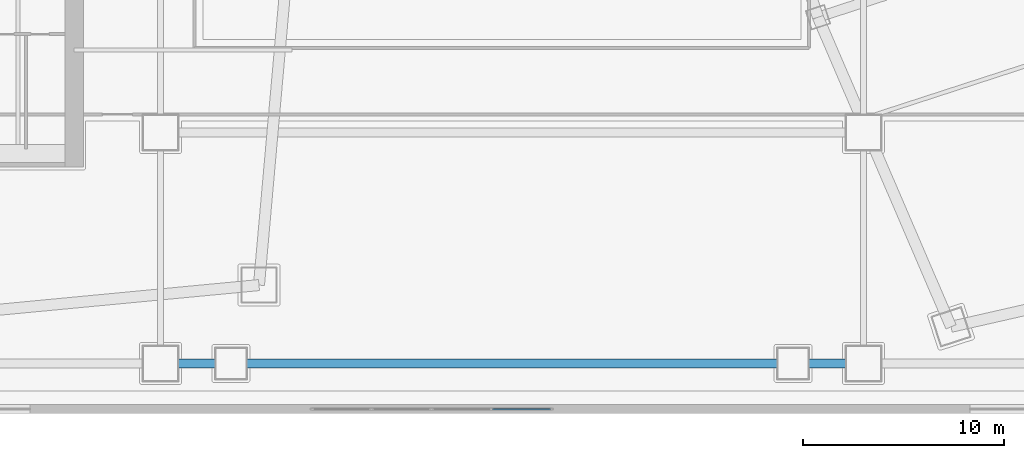
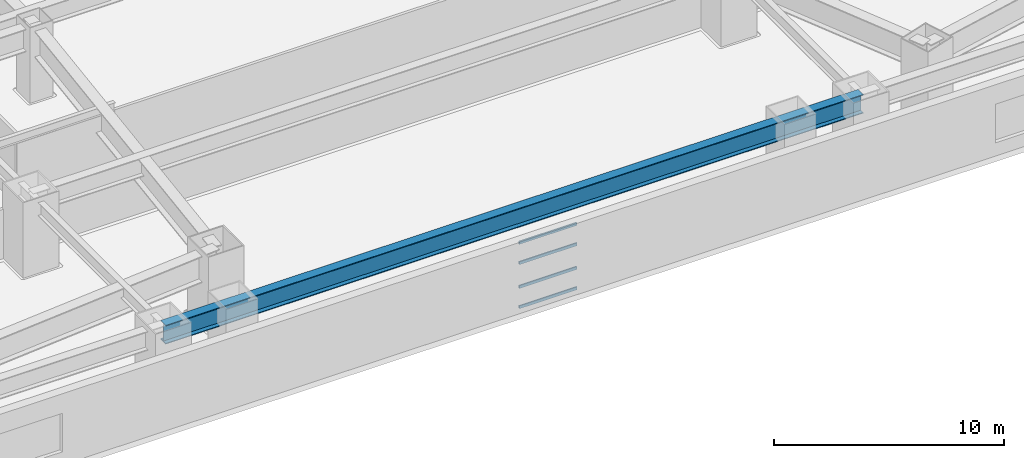
# One storey, part 5 of 25: 4 members, 1 beam, 1 element without a shape of its own.
"""IFC4 building model written with IfcOpenShell, lengths in metres."""

from ifc_helpers import new_model, si_unit, direction, frame, origin, origin_2d, place, context, subcontext, project, spatial, hollow_rectangle, i_section, extrude, material, layer, layer_set, material_profile, profile_set, type_object, element, aggregate, save


model = new_model("IFC4")

# Units and contexts
model_context = context("Model", 3, precision=1e-05, world=origin(), true_north=direction((0.0, 1.0)))
body_context = subcontext(model_context, "Body", "Model", "MODEL_VIEW")
ifc_project = project(units=[si_unit("LENGTHUNIT", "METRE"), si_unit("AREAUNIT", "SQUARE_METRE"), si_unit("VOLUMEUNIT", "CUBIC_METRE"), si_unit("PLANEANGLEUNIT", "RADIAN"), si_unit("MASSUNIT", "GRAM", prefix="KILO")], contexts=[model_context])

# Site, building, storey
site_placement = place(None, origin())
site = spatial("IfcSite", under=ifc_project, at=site_placement, CompositionType="ELEMENT")
building_placement = place(site_placement, origin())
building = spatial("IfcBuilding", under=site, at=building_placement, Name="Qiaolan Cultural Towers", CompositionType="ELEMENT")
storey_placement = place(building_placement, frame((0.0, 0.0, 22.0)))
storey = spatial("IfcBuildingStorey", under=building, at=storey_placement, Name="L04", CompositionType="ELEMENT", Elevation=22.0)

# Beam
ifc_material_1 = material(Name="Steel Q390GJB", Category="steel")
ifc_material_profile_1 = material_profile(ifc_material_1, i_section(OverallWidth=0.449951171875, OverallDepth=1.0, WebThickness=0.02392578125, FlangeThickness=0.0400390625, at=origin_2d()), Name="BH1000x450x24x40")
ifc_profile_set_1 = profile_set([ifc_material_profile_1], Name="Steel Q390GJB")
beam_type = type_object("IfcBeamType", Name="BM-BH1000x450x24x40", PredefinedType="BEAM", material=ifc_profile_set_1)
beam_placement = place(storey_placement, frame((42.5, 2.5, 3.25), z_axis=(1.0, 0.0, 0.0), x_axis=(0.0, 1.0, 0.0)))
element("IfcBeam", 1, at=beam_placement, inside=storey, type_object=beam_type, Name="L04 Podium Primary Girder Y=2.5", PredefinedType="BEAM", context=body_context, shape_type="SweptSolid", body=[
    extrude(i_section(OverallWidth=0.449951171875, OverallDepth=1.0, WebThickness=0.02392578125, FlangeThickness=0.0400390625, at=origin_2d()), origin(), (0.0, 0.0, 1.0), 35.0),
])

# Curtain wall, members
ifc_material_2 = material(Name="Unitized Anodized Aluminium Curtain Wall System", Category="aluminium")
ifc_layer = layer(ifc_material_2, 0.199951171875)
ifc_layer_set = layer_set([ifc_layer], Name="Unitized Anodized Aluminium Curtain Wall System")
curtain_wall_type = type_object("IfcCurtainWallType", Name="CWS-01", PredefinedType="NOTDEFINED", material=ifc_layer_set)
curtain_wall_placement = place(storey_placement, origin())
curtain_wall = element("IfcCurtainWall", 2, at=curtain_wall_placement, inside=storey, type_object=curtain_wall_type, Name="L04 South Atrium Curtain Wall", PredefinedType="NOTDEFINED")
ifc_material_3 = material(Name="Extruded Aluminium 6063-T6", Category="aluminium")
ifc_material_profile_2 = material_profile(ifc_material_3, hollow_rectangle(XDim=0.06494140625, YDim=0.14990234375, WallThickness=0.00390625, at=origin_2d()), Name="CWT-150x65x4")
ifc_profile_set_2 = profile_set([ifc_material_profile_2], Name="Extruded Aluminium 6063-T6")
member_type = type_object("IfcMemberType", Name="CWS-01-TRN", PredefinedType="USERDEFINED", material=ifc_profile_set_2)
member_1_placement = place(storey_placement, frame((59.03759765625, 0.219970703125, 0.1826171875), z_axis=(1.0, 0.0, 0.0), x_axis=(0.0, 1.0, 0.0)))
member_1 = element("IfcMember", 3, at=member_1_placement, type_object=member_type, Name="CW-1 transom 4.1", ObjectType="TRANSOM", PredefinedType="USERDEFINED", context=body_context, shape_type="SweptSolid", body=[
    extrude(hollow_rectangle(XDim=0.06494140625, YDim=0.14990234375, WallThickness=0.00390625, at=origin_2d()), origin(), (0.0, 0.0, 1.0), 2.887451171875),
])
member_2_placement = place(storey_placement, frame((59.03759765625, 0.219970703125, 1.260009765625), z_axis=(1.0, 0.0, 0.0), x_axis=(0.0, 1.0, 0.0)))
member_2 = element("IfcMember", 4, at=member_2_placement, type_object=member_type, Name="CW-1 transom 4.2", ObjectType="TRANSOM", PredefinedType="USERDEFINED", context=body_context, shape_type="SweptSolid", body=[
    extrude(hollow_rectangle(XDim=0.06494140625, YDim=0.14990234375, WallThickness=0.00390625, at=origin_2d()), origin(), (0.0, 0.0, 1.0), 2.887451171875),
])
member_3_placement = place(storey_placement, frame((59.03759765625, 0.219970703125, 2.52001953125), z_axis=(1.0, 0.0, 0.0), x_axis=(0.0, 1.0, 0.0)))
member_3 = element("IfcMember", 5, at=member_3_placement, type_object=member_type, Name="CW-1 transom 4.3", ObjectType="TRANSOM", PredefinedType="USERDEFINED", context=body_context, shape_type="SweptSolid", body=[
    extrude(hollow_rectangle(XDim=0.06494140625, YDim=0.14990234375, WallThickness=0.00390625, at=origin_2d()), origin(), (0.0, 0.0, 1.0), 2.887451171875),
])
member_4_placement = place(storey_placement, frame((59.03759765625, 0.219970703125, 3.597412109375), z_axis=(1.0, 0.0, 0.0), x_axis=(0.0, 1.0, 0.0)))
member_4 = element("IfcMember", 6, at=member_4_placement, type_object=member_type, Name="CW-1 transom 4.4", ObjectType="TRANSOM", PredefinedType="USERDEFINED", context=body_context, shape_type="SweptSolid", body=[
    extrude(hollow_rectangle(XDim=0.06494140625, YDim=0.14990234375, WallThickness=0.00390625, at=origin_2d()), origin(), (0.0, 0.0, 1.0), 2.887451171875),
])
aggregate(curtain_wall, [member_1, member_2, member_3, member_4])

save(model, "model.ifc")
